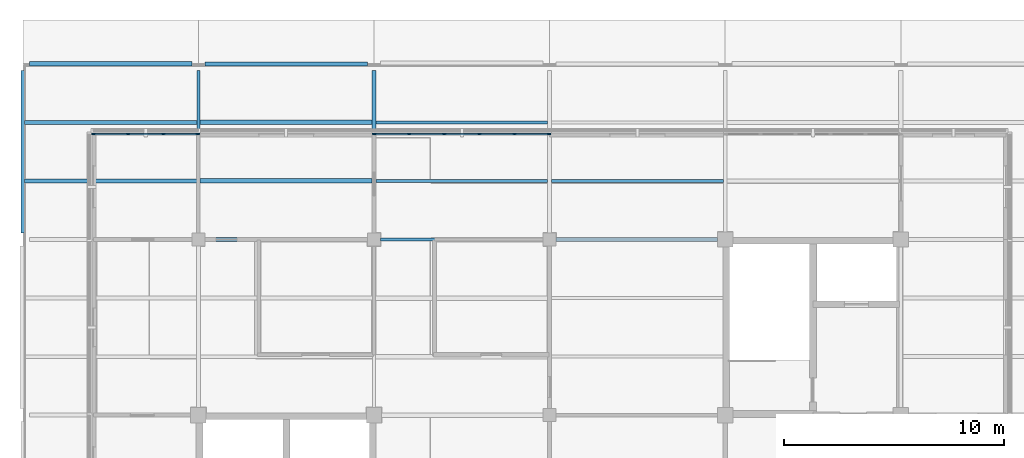
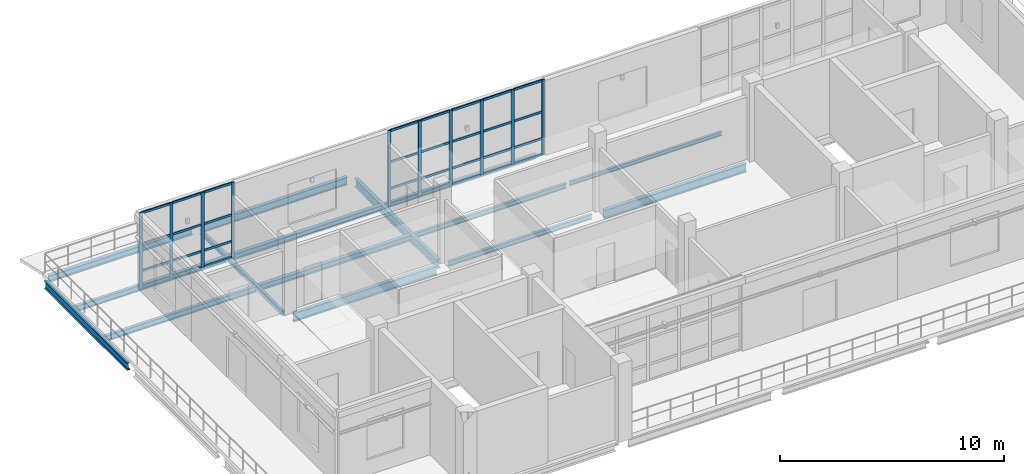
# One storey, part 4 of 24: 42 members, 15 beams, 2 elements without a shape of their own.
"""IFC4 building model written with IfcOpenShell, lengths in metres."""

from ifc_helpers import new_model, si_unit, derived_unit, direction, frame, origin, origin_2d, place, context, subcontext, project, spatial, rectangle, i_section, extrude, material, layer, layer_set, material_profile, profile_set, type_object, element, aggregate, save


model = new_model("IFC4")

# Units and contexts
model_context = context("Model", 3, precision=1e-05, world=origin(), true_north=direction((0.0, 1.0)))
body_context = subcontext(model_context, "Body", "Model", "MODEL_VIEW")
ifc_project = project(units=[si_unit("LENGTHUNIT", "METRE"), si_unit("AREAUNIT", "SQUARE_METRE"), si_unit("VOLUMEUNIT", "CUBIC_METRE"), si_unit("PLANEANGLEUNIT", "RADIAN"), si_unit("MASSUNIT", "GRAM", prefix="KILO"), derived_unit("THERMALTRANSMITTANCEUNIT", [(si_unit("MASSUNIT", "GRAM", prefix="KILO"), 1), (si_unit("TIMEUNIT", "SECOND"), -3), (si_unit("THERMODYNAMICTEMPERATUREUNIT", "KELVIN"), -1)])], contexts=[model_context])

# Site, building, storey
site_placement = place(None, origin())
site = spatial("IfcSite", under=ifc_project, at=site_placement, CompositionType="ELEMENT")
building_placement = place(site_placement, origin())
building = spatial("IfcBuilding", under=site, at=building_placement, Name="Veyamyaing Civic Hall", CompositionType="ELEMENT")
storey_placement = place(building_placement, frame((0.0, 0.0, 25.739990234375)))
storey = spatial("IfcBuildingStorey", under=building, at=storey_placement, Name="L06", CompositionType="ELEMENT", Elevation=25.739990234375)

# Beams
ifc_material_1 = material(Name="Steel ASTM A992", Category="steel")
ifc_material_profile_1 = material_profile(ifc_material_1, i_section(OverallWidth=0.19189453125, OverallDepth=0.462890625, WebThickness=0.010498046875, FlangeThickness=0.017578125, FilletRadius=0.010009765625, at=origin_2d()), Name="W460X89")
ifc_profile_set_1 = profile_set([ifc_material_profile_1], Name="Steel ASTM A992")
beam_type_1 = type_object("IfcBeamType", Name="B-08", PredefinedType="BEAM", material=ifc_profile_set_1)
beam_1_placement = place(storey_placement, frame((24.300048828125, 104.0, -0.45654296875), z_axis=(1.0, 0.0, 0.0), x_axis=(0.0, 1.0, 0.0)))
element("IfcBeam", 1, at=beam_1_placement, inside=storey, type_object=beam_type_1, Name="Girder B-08 L06 Grid P 4-5", PredefinedType="BEAM", context=body_context, shape_type="SweptSolid", body=[
    extrude(i_section(OverallWidth=0.19189453125, OverallDepth=0.462890625, WebThickness=0.010498046875, FlangeThickness=0.017578125, FilletRadius=0.010009765625, at=origin_2d()), origin(), (0.0, 0.0, 1.0), 7.349853515625),
])
beam_2_placement = place(storey_placement, frame((16.0, 104.300048828125, -0.46142578125), z_axis=(0.0, 1.0, 0.0), x_axis=(-1.0, 0.0, 0.0)))
element("IfcBeam", 2, at=beam_2_placement, inside=storey, type_object=beam_type_1, Name="Girder B-08 L06 Grid 3 P-Q", PredefinedType="BEAM", context=body_context, shape_type="SweptSolid", body=[
    extrude(i_section(OverallWidth=0.19189453125, OverallDepth=0.462890625, WebThickness=0.010498046875, FlangeThickness=0.017578125, FilletRadius=0.010009765625, at=origin_2d()), origin(), (0.0, 0.0, 1.0), 7.39990234375),
])
ifc_material_profile_2 = material_profile(ifc_material_1, i_section(OverallWidth=0.179931640625, OverallDepth=0.4130859375, WebThickness=0.009765625, FlangeThickness=0.01611328125, FilletRadius=0.010009765625, at=origin_2d()), Name="W410X74")
ifc_profile_set_2 = profile_set([ifc_material_profile_2], Name="Steel ASTM A992")
beam_type_2 = type_object("IfcBeamType", Name="B-10", PredefinedType="SPANDREL", material=ifc_profile_set_2)
beam_3_placement = place(storey_placement, frame((0.0, 104.300048828125, -0.4365234375), z_axis=(0.0, 1.0, 0.0), x_axis=(-1.0, 0.0, 0.0)))
element("IfcBeam", 3, at=beam_3_placement, inside=storey, type_object=beam_type_2, Name="Girder B-10 L06 Grid 1 P-Q", PredefinedType="SPANDREL", context=body_context, shape_type="SweptSolid", body=[
    extrude(i_section(OverallWidth=0.179931640625, OverallDepth=0.4130859375, WebThickness=0.009765625, FlangeThickness=0.01611328125, FilletRadius=0.010009765625, at=origin_2d()), origin(), (0.0, 0.0, 1.0), 7.39990234375),
])
ifc_material_profile_3 = material_profile(ifc_material_1, i_section(OverallWidth=0.2041015625, OverallDepth=0.35009765625, WebThickness=0.0078125, FlangeThickness=0.01513671875, FilletRadius=0.010009765625, at=origin_2d()), Name="W360X72")
ifc_profile_set_3 = profile_set([ifc_material_profile_3], Name="Steel ASTM A992")
beam_type_3 = type_object("IfcBeamType", Name="B-11", PredefinedType="SPANDREL", material=ifc_profile_set_3)
beam_4_placement = place(storey_placement, frame((0.300048828125, 112.0, -0.405029296875), z_axis=(1.0, 0.0, 0.0), x_axis=(0.0, 1.0, 0.0)))
element("IfcBeam", 4, at=beam_4_placement, inside=storey, type_object=beam_type_3, Name="Girder B-11 L06 Grid Q 1-2", PredefinedType="SPANDREL", context=body_context, shape_type="SweptSolid", body=[
    extrude(i_section(OverallWidth=0.2041015625, OverallDepth=0.35009765625, WebThickness=0.0078125, FlangeThickness=0.01513671875, FilletRadius=0.010009765625, at=origin_2d()), origin(), (0.0, 0.0, 1.0), 7.39990234375),
])
ifc_material_profile_4 = material_profile(ifc_material_1, i_section(OverallWidth=0.14599609375, OverallDepth=0.258056640625, WebThickness=0.006103515625, FlangeThickness=0.009033203125, FilletRadius=0.010009765625, at=origin_2d()), Name="W250X33")
ifc_profile_set_4 = profile_set([ifc_material_profile_4], Name="Steel ASTM A992")
beam_type_4 = type_object("IfcBeamType", Name="B-12", PredefinedType="BEAM", material=ifc_profile_set_4)
for number, where, z_axis, x_axis, name in (
    (5, (16.300048828125, 104.0, -0.35400390625), (1.0, 0.0, 0.0), (0.0, 1.0, 0.0), "Girder B-12 L06 Grid P 3-4"),
    (6, (8.0, 104.300048828125, -0.35888671875), (0.0, 1.0, 0.0), (-1.0, 0.0, 0.0), "Girder B-12 L06 Grid 2 P-Q"),
):
    element("IfcBeam", number, at=place(storey_placement, frame(where, z_axis=z_axis, x_axis=x_axis)), inside=storey, type_object=beam_type_4, Name=name, PredefinedType="BEAM", context=body_context, shape_type="SweptSolid", body=[
        extrude(i_section(OverallWidth=0.14599609375, OverallDepth=0.258056640625, WebThickness=0.006103515625, FlangeThickness=0.009033203125, FilletRadius=0.010009765625, at=origin_2d()), origin(), (0.0, 0.0, 1.0), 7.39990234375),
    ])
ifc_material_profile_5 = material_profile(ifc_material_1, i_section(OverallWidth=0.194091796875, OverallDepth=0.468994140625, WebThickness=0.0126953125, FlangeThickness=0.0205078125, FilletRadius=0.010009765625, at=origin_2d()), Name="W460X106")
ifc_profile_set_5 = profile_set([ifc_material_profile_5], Name="Steel ASTM A992")
beam_type_5 = type_object("IfcBeamType", Name="B-18", PredefinedType="BEAM", material=ifc_profile_set_5)
beam_5_placement = place(storey_placement, frame((8.300048828125, 104.0, -0.45947265625), z_axis=(1.0, 0.0, 0.0), x_axis=(0.0, 1.0, 0.0)))
element("IfcBeam", 7, at=beam_5_placement, inside=storey, type_object=beam_type_5, Name="Girder B-18 L06 Grid P 2-3", PredefinedType="BEAM", context=body_context, shape_type="SweptSolid", body=[
    extrude(i_section(OverallWidth=0.194091796875, OverallDepth=0.468994140625, WebThickness=0.0126953125, FlangeThickness=0.0205078125, FilletRadius=0.010009765625, at=origin_2d()), origin(), (0.0, 0.0, 1.0), 7.39990234375),
])
ifc_material_profile_6 = material_profile(ifc_material_1, i_section(OverallWidth=0.180908203125, OverallDepth=0.4169921875, WebThickness=0.010986328125, FlangeThickness=0.018310546875, FilletRadius=0.010009765625, at=origin_2d()), Name="W410X85")
ifc_profile_set_6 = profile_set([ifc_material_profile_6], Name="Steel ASTM A992")
beam_type_6 = type_object("IfcBeamType", Name="B-19", PredefinedType="SPANDREL", material=ifc_profile_set_6)
beam_6_placement = place(storey_placement, frame((8.300048828125, 112.0, -0.4384765625), z_axis=(1.0, 0.0, 0.0), x_axis=(0.0, 1.0, 0.0)))
element("IfcBeam", 8, at=beam_6_placement, inside=storey, type_object=beam_type_6, Name="Girder B-19 L06 Grid Q 2-3", PredefinedType="SPANDREL", context=body_context, shape_type="SweptSolid", body=[
    extrude(i_section(OverallWidth=0.180908203125, OverallDepth=0.4169921875, WebThickness=0.010986328125, FlangeThickness=0.018310546875, FilletRadius=0.010009765625, at=origin_2d()), origin(), (0.0, 0.0, 1.0), 7.39990234375),
])

# Curtain wall, members
ifc_material_2 = material(Name="Anodised aluminium 6063-T6", Category="aluminium")
ifc_layer = layer(ifc_material_2, 0.159912109375, Name="Anodised aluminium 6063-T6")
ifc_layer_set = layer_set([ifc_layer], Name="Anodised aluminium 6063-T6")
curtain_wall_type = type_object("IfcCurtainWallType", Name="CW-05", PredefinedType="NOTDEFINED", material=ifc_layer_set)
curtain_wall_1_placement = place(storey_placement, origin())
curtain_wall_1 = element("IfcCurtainWall", 9, at=curtain_wall_1_placement, inside=storey, type_object=curtain_wall_type, Name="Executive terrace curtain wall CW-05 L06-NW-N-0", PredefinedType="NOTDEFINED")
ifc_material_profile_7 = material_profile(ifc_material_2, rectangle(XDim=0.06494140625, YDim=0.159912109375, at=origin_2d()), Name="ALU-MUL-65X160")
ifc_profile_set_7 = profile_set([ifc_material_profile_7], Name="Anodised aluminium 6063-T6")
member_type_1 = type_object("IfcMemberType", Name="CWM-01", PredefinedType="MULLION", material=ifc_profile_set_7)
member_1_placement = place(storey_placement, frame((3.232421875, 108.800048828125, 0.0), z_axis=(0.0, 0.0, 1.0), x_axis=(0.0, 1.0, 0.0)))
member_1 = element("IfcMember", 10, at=member_1_placement, type_object=member_type_1, Name="CW-05 mullion 1", PredefinedType="MULLION", context=body_context, shape_type="SweptSolid", body=[
    extrude(rectangle(XDim=0.06494140625, YDim=0.159912109375, at=origin_2d()), origin(), (0.0, 0.0, 1.0), 4.090087890625),
])
member_2_placement = place(storey_placement, frame((4.800048828125, 108.800048828125, 0.0), z_axis=(0.0, 0.0, 1.0), x_axis=(0.0, 1.0, 0.0)))
member_2 = element("IfcMember", 11, at=member_2_placement, type_object=member_type_1, Name="CW-05 mullion 2", PredefinedType="MULLION", context=body_context, shape_type="SweptSolid", body=[
    extrude(rectangle(XDim=0.06494140625, YDim=0.159912109375, at=origin_2d()), origin(), (0.0, 0.0, 1.0), 4.090087890625),
])
member_3_placement = place(storey_placement, frame((6.39990234375, 108.800048828125, 0.0), z_axis=(0.0, 0.0, 1.0), x_axis=(0.0, 1.0, 0.0)))
member_3 = element("IfcMember", 12, at=member_3_placement, type_object=member_type_1, Name="CW-05 mullion 3", PredefinedType="MULLION", context=body_context, shape_type="SweptSolid", body=[
    extrude(rectangle(XDim=0.06494140625, YDim=0.159912109375, at=origin_2d()), origin(), (0.0, 0.0, 1.0), 4.090087890625),
])
member_4_placement = place(storey_placement, frame((7.967529296875, 108.800048828125, 0.0), z_axis=(0.0, 0.0, 1.0), x_axis=(0.0, 1.0, 0.0)))
member_4 = element("IfcMember", 13, at=member_4_placement, type_object=member_type_1, Name="CW-05 mullion 4", PredefinedType="MULLION", context=body_context, shape_type="SweptSolid", body=[
    extrude(rectangle(XDim=0.06494140625, YDim=0.159912109375, at=origin_2d()), origin(), (0.0, 0.0, 1.0), 4.090087890625),
])

curtain_wall_2_placement = place(storey_placement, origin())
curtain_wall_2 = element("IfcCurtainWall", 14, at=curtain_wall_2_placement, inside=storey, type_object=curtain_wall_type, Name="Executive terrace curtain wall CW-05 L06-NW-N-2", PredefinedType="NOTDEFINED")
member_5_placement = place(storey_placement, frame((16.032470703125, 108.800048828125, 0.0), z_axis=(0.0, 0.0, 1.0), x_axis=(0.0, 1.0, 0.0)))
member_5 = element("IfcMember", 15, at=member_5_placement, type_object=member_type_1, Name="CW-05 mullion 1", PredefinedType="MULLION", context=body_context, shape_type="SweptSolid", body=[
    extrude(rectangle(XDim=0.06494140625, YDim=0.159912109375, at=origin_2d()), origin(), (0.0, 0.0, 1.0), 4.090087890625),
])
member_6_placement = place(storey_placement, frame((17.60009765625, 108.800048828125, 0.0), z_axis=(0.0, 0.0, 1.0), x_axis=(0.0, 1.0, 0.0)))
member_6 = element("IfcMember", 16, at=member_6_placement, type_object=member_type_1, Name="CW-05 mullion 2", PredefinedType="MULLION", context=body_context, shape_type="SweptSolid", body=[
    extrude(rectangle(XDim=0.06494140625, YDim=0.159912109375, at=origin_2d()), origin(), (0.0, 0.0, 1.0), 4.090087890625),
])
member_7_placement = place(storey_placement, frame((19.199951171875, 108.800048828125, 0.0), z_axis=(0.0, 0.0, 1.0), x_axis=(0.0, 1.0, 0.0)))
member_7 = element("IfcMember", 17, at=member_7_placement, type_object=member_type_1, Name="CW-05 mullion 3", PredefinedType="MULLION", context=body_context, shape_type="SweptSolid", body=[
    extrude(rectangle(XDim=0.06494140625, YDim=0.159912109375, at=origin_2d()), origin(), (0.0, 0.0, 1.0), 4.090087890625),
])
member_8_placement = place(storey_placement, frame((20.800048828125, 108.800048828125, 0.0), z_axis=(0.0, 0.0, 1.0), x_axis=(0.0, 1.0, 0.0)))
member_8 = element("IfcMember", 18, at=member_8_placement, type_object=member_type_1, Name="CW-05 mullion 4", PredefinedType="MULLION", context=body_context, shape_type="SweptSolid", body=[
    extrude(rectangle(XDim=0.06494140625, YDim=0.159912109375, at=origin_2d()), origin(), (0.0, 0.0, 1.0), 4.090087890625),
])
member_9_placement = place(storey_placement, frame((22.39990234375, 108.800048828125, 0.0), z_axis=(0.0, 0.0, 1.0), x_axis=(0.0, 1.0, 0.0)))
member_9 = element("IfcMember", 19, at=member_9_placement, type_object=member_type_1, Name="CW-05 mullion 5", PredefinedType="MULLION", context=body_context, shape_type="SweptSolid", body=[
    extrude(rectangle(XDim=0.06494140625, YDim=0.159912109375, at=origin_2d()), origin(), (0.0, 0.0, 1.0), 4.090087890625),
])
member_10_placement = place(storey_placement, frame((23.967529296875, 108.800048828125, 0.0), z_axis=(0.0, 0.0, 1.0), x_axis=(0.0, 1.0, 0.0)))
member_10 = element("IfcMember", 20, at=member_10_placement, type_object=member_type_1, Name="CW-05 mullion 6", PredefinedType="MULLION", context=body_context, shape_type="SweptSolid", body=[
    extrude(rectangle(XDim=0.06494140625, YDim=0.159912109375, at=origin_2d()), origin(), (0.0, 0.0, 1.0), 4.090087890625),
])

# Member
ifc_material_profile_8 = material_profile(ifc_material_2, rectangle(XDim=0.06494140625, YDim=0.1201171875, at=origin_2d()), Name="ALU-TRN-65X120")
ifc_profile_set_8 = profile_set([ifc_material_profile_8], Name="Anodised aluminium 6063-T6")
member_type_2 = type_object("IfcMemberType", Name="CWT-01", PredefinedType="USERDEFINED", material=ifc_profile_set_8)
member_11_placement = place(storey_placement, frame((3.264892578125, 108.800048828125, 0.032470703125), z_axis=(1.0, 0.0, 0.0), x_axis=(0.0, 1.0, 0.0)))
member_11 = element("IfcMember", 21, at=member_11_placement, type_object=member_type_2, Name="CW-05 transom 1.1", ObjectType="TRANSOM", PredefinedType="USERDEFINED", context=body_context, shape_type="SweptSolid", body=[
    extrude(rectangle(XDim=0.06494140625, YDim=0.1201171875, at=origin_2d()), origin(), (0.0, 0.0, 1.0), 1.502685546875),
])

member_12_placement = place(storey_placement, frame((3.264892578125, 108.800048828125, 0.89990234375), z_axis=(1.0, 0.0, 0.0), x_axis=(0.0, 1.0, 0.0)))
member_12 = element("IfcMember", 22, at=member_12_placement, type_object=member_type_2, Name="CW-05 transom 1.2", ObjectType="TRANSOM", PredefinedType="USERDEFINED", context=body_context, shape_type="SweptSolid", body=[
    extrude(rectangle(XDim=0.06494140625, YDim=0.1201171875, at=origin_2d()), origin(), (0.0, 0.0, 1.0), 1.502685546875),
])

member_13_placement = place(storey_placement, frame((3.264892578125, 108.800048828125, 2.35009765625), z_axis=(1.0, 0.0, 0.0), x_axis=(0.0, 1.0, 0.0)))
member_13 = element("IfcMember", 23, at=member_13_placement, type_object=member_type_2, Name="CW-05 transom 1.3", ObjectType="TRANSOM", PredefinedType="USERDEFINED", context=body_context, shape_type="SweptSolid", body=[
    extrude(rectangle(XDim=0.06494140625, YDim=0.1201171875, at=origin_2d()), origin(), (0.0, 0.0, 1.0), 1.502685546875),
])

member_14_placement = place(storey_placement, frame((3.264892578125, 108.800048828125, 4.0576171875), z_axis=(1.0, 0.0, 0.0), x_axis=(0.0, 1.0, 0.0)))
member_14 = element("IfcMember", 24, at=member_14_placement, type_object=member_type_2, Name="CW-05 transom 1.4", ObjectType="TRANSOM", PredefinedType="USERDEFINED", context=body_context, shape_type="SweptSolid", body=[
    extrude(rectangle(XDim=0.06494140625, YDim=0.1201171875, at=origin_2d()), origin(), (0.0, 0.0, 1.0), 1.502685546875),
])

member_15_placement = place(storey_placement, frame((4.83251953125, 108.800048828125, 0.032470703125), z_axis=(1.0, 0.0, 0.0), x_axis=(0.0, 1.0, 0.0)))
member_15 = element("IfcMember", 25, at=member_15_placement, type_object=member_type_2, Name="CW-05 transom 2.1", ObjectType="TRANSOM", PredefinedType="USERDEFINED", context=body_context, shape_type="SweptSolid", body=[
    extrude(rectangle(XDim=0.06494140625, YDim=0.1201171875, at=origin_2d()), origin(), (0.0, 0.0, 1.0), 1.534912109375),
])

member_16_placement = place(storey_placement, frame((4.83251953125, 108.800048828125, 0.89990234375), z_axis=(1.0, 0.0, 0.0), x_axis=(0.0, 1.0, 0.0)))
member_16 = element("IfcMember", 26, at=member_16_placement, type_object=member_type_2, Name="CW-05 transom 2.2", ObjectType="TRANSOM", PredefinedType="USERDEFINED", context=body_context, shape_type="SweptSolid", body=[
    extrude(rectangle(XDim=0.06494140625, YDim=0.1201171875, at=origin_2d()), origin(), (0.0, 0.0, 1.0), 1.534912109375),
])

member_17_placement = place(storey_placement, frame((4.83251953125, 108.800048828125, 2.35009765625), z_axis=(1.0, 0.0, 0.0), x_axis=(0.0, 1.0, 0.0)))
member_17 = element("IfcMember", 27, at=member_17_placement, type_object=member_type_2, Name="CW-05 transom 2.3", ObjectType="TRANSOM", PredefinedType="USERDEFINED", context=body_context, shape_type="SweptSolid", body=[
    extrude(rectangle(XDim=0.06494140625, YDim=0.1201171875, at=origin_2d()), origin(), (0.0, 0.0, 1.0), 1.534912109375),
])

member_18_placement = place(storey_placement, frame((4.83251953125, 108.800048828125, 4.0576171875), z_axis=(1.0, 0.0, 0.0), x_axis=(0.0, 1.0, 0.0)))
member_18 = element("IfcMember", 28, at=member_18_placement, type_object=member_type_2, Name="CW-05 transom 2.4", ObjectType="TRANSOM", PredefinedType="USERDEFINED", context=body_context, shape_type="SweptSolid", body=[
    extrude(rectangle(XDim=0.06494140625, YDim=0.1201171875, at=origin_2d()), origin(), (0.0, 0.0, 1.0), 1.534912109375),
])

member_19_placement = place(storey_placement, frame((6.4326171875, 108.800048828125, 0.032470703125), z_axis=(1.0, 0.0, 0.0), x_axis=(0.0, 1.0, 0.0)))
member_19 = element("IfcMember", 29, at=member_19_placement, type_object=member_type_2, Name="CW-05 transom 3.1", ObjectType="TRANSOM", PredefinedType="USERDEFINED", context=body_context, shape_type="SweptSolid", body=[
    extrude(rectangle(XDim=0.06494140625, YDim=0.1201171875, at=origin_2d()), origin(), (0.0, 0.0, 1.0), 1.50244140625),
])

member_20_placement = place(storey_placement, frame((6.4326171875, 108.800048828125, 0.89990234375), z_axis=(1.0, 0.0, 0.0), x_axis=(0.0, 1.0, 0.0)))
member_20 = element("IfcMember", 30, at=member_20_placement, type_object=member_type_2, Name="CW-05 transom 3.2", ObjectType="TRANSOM", PredefinedType="USERDEFINED", context=body_context, shape_type="SweptSolid", body=[
    extrude(rectangle(XDim=0.06494140625, YDim=0.1201171875, at=origin_2d()), origin(), (0.0, 0.0, 1.0), 1.50244140625),
])

member_21_placement = place(storey_placement, frame((6.4326171875, 108.800048828125, 2.35009765625), z_axis=(1.0, 0.0, 0.0), x_axis=(0.0, 1.0, 0.0)))
member_21 = element("IfcMember", 31, at=member_21_placement, type_object=member_type_2, Name="CW-05 transom 3.3", ObjectType="TRANSOM", PredefinedType="USERDEFINED", context=body_context, shape_type="SweptSolid", body=[
    extrude(rectangle(XDim=0.06494140625, YDim=0.1201171875, at=origin_2d()), origin(), (0.0, 0.0, 1.0), 1.50244140625),
])

member_22_placement = place(storey_placement, frame((6.4326171875, 108.800048828125, 4.0576171875), z_axis=(1.0, 0.0, 0.0), x_axis=(0.0, 1.0, 0.0)))
member_22 = element("IfcMember", 32, at=member_22_placement, type_object=member_type_2, Name="CW-05 transom 3.4", ObjectType="TRANSOM", PredefinedType="USERDEFINED", context=body_context, shape_type="SweptSolid", body=[
    extrude(rectangle(XDim=0.06494140625, YDim=0.1201171875, at=origin_2d()), origin(), (0.0, 0.0, 1.0), 1.50244140625),
])

aggregate(curtain_wall_1, [member_1, member_2, member_3, member_4, member_11, member_12, member_13, member_14, member_15, member_16, member_17, member_18, member_19, member_20, member_21, member_22])

member_23_placement = place(storey_placement, frame((16.06494140625, 108.800048828125, 0.032470703125), z_axis=(1.0, 0.0, 0.0), x_axis=(0.0, 1.0, 0.0)))
member_23 = element("IfcMember", 33, at=member_23_placement, type_object=member_type_2, Name="CW-05 transom 1.1", ObjectType="TRANSOM", PredefinedType="USERDEFINED", context=body_context, shape_type="SweptSolid", body=[
    extrude(rectangle(XDim=0.06494140625, YDim=0.1201171875, at=origin_2d()), origin(), (0.0, 0.0, 1.0), 1.50244140625),
])

member_24_placement = place(storey_placement, frame((16.06494140625, 108.800048828125, 0.89990234375), z_axis=(1.0, 0.0, 0.0), x_axis=(0.0, 1.0, 0.0)))
member_24 = element("IfcMember", 34, at=member_24_placement, type_object=member_type_2, Name="CW-05 transom 1.2", ObjectType="TRANSOM", PredefinedType="USERDEFINED", context=body_context, shape_type="SweptSolid", body=[
    extrude(rectangle(XDim=0.06494140625, YDim=0.1201171875, at=origin_2d()), origin(), (0.0, 0.0, 1.0), 1.50244140625),
])

member_25_placement = place(storey_placement, frame((16.06494140625, 108.800048828125, 2.35009765625), z_axis=(1.0, 0.0, 0.0), x_axis=(0.0, 1.0, 0.0)))
member_25 = element("IfcMember", 35, at=member_25_placement, type_object=member_type_2, Name="CW-05 transom 1.3", ObjectType="TRANSOM", PredefinedType="USERDEFINED", context=body_context, shape_type="SweptSolid", body=[
    extrude(rectangle(XDim=0.06494140625, YDim=0.1201171875, at=origin_2d()), origin(), (0.0, 0.0, 1.0), 1.50244140625),
])

member_26_placement = place(storey_placement, frame((16.06494140625, 108.800048828125, 4.0576171875), z_axis=(1.0, 0.0, 0.0), x_axis=(0.0, 1.0, 0.0)))
member_26 = element("IfcMember", 36, at=member_26_placement, type_object=member_type_2, Name="CW-05 transom 1.4", ObjectType="TRANSOM", PredefinedType="USERDEFINED", context=body_context, shape_type="SweptSolid", body=[
    extrude(rectangle(XDim=0.06494140625, YDim=0.1201171875, at=origin_2d()), origin(), (0.0, 0.0, 1.0), 1.50244140625),
])

member_27_placement = place(storey_placement, frame((17.632568359375, 108.800048828125, 0.032470703125), z_axis=(1.0, 0.0, 0.0), x_axis=(0.0, 1.0, 0.0)))
member_27 = element("IfcMember", 37, at=member_27_placement, type_object=member_type_2, Name="CW-05 transom 2.1", ObjectType="TRANSOM", PredefinedType="USERDEFINED", context=body_context, shape_type="SweptSolid", body=[
    extrude(rectangle(XDim=0.06494140625, YDim=0.1201171875, at=origin_2d()), origin(), (0.0, 0.0, 1.0), 1.534912109375),
])

member_28_placement = place(storey_placement, frame((17.632568359375, 108.800048828125, 0.89990234375), z_axis=(1.0, 0.0, 0.0), x_axis=(0.0, 1.0, 0.0)))
member_28 = element("IfcMember", 38, at=member_28_placement, type_object=member_type_2, Name="CW-05 transom 2.2", ObjectType="TRANSOM", PredefinedType="USERDEFINED", context=body_context, shape_type="SweptSolid", body=[
    extrude(rectangle(XDim=0.06494140625, YDim=0.1201171875, at=origin_2d()), origin(), (0.0, 0.0, 1.0), 1.534912109375),
])

member_29_placement = place(storey_placement, frame((17.632568359375, 108.800048828125, 2.35009765625), z_axis=(1.0, 0.0, 0.0), x_axis=(0.0, 1.0, 0.0)))
member_29 = element("IfcMember", 39, at=member_29_placement, type_object=member_type_2, Name="CW-05 transom 2.3", ObjectType="TRANSOM", PredefinedType="USERDEFINED", context=body_context, shape_type="SweptSolid", body=[
    extrude(rectangle(XDim=0.06494140625, YDim=0.1201171875, at=origin_2d()), origin(), (0.0, 0.0, 1.0), 1.534912109375),
])

member_30_placement = place(storey_placement, frame((17.632568359375, 108.800048828125, 4.0576171875), z_axis=(1.0, 0.0, 0.0), x_axis=(0.0, 1.0, 0.0)))
member_30 = element("IfcMember", 40, at=member_30_placement, type_object=member_type_2, Name="CW-05 transom 2.4", ObjectType="TRANSOM", PredefinedType="USERDEFINED", context=body_context, shape_type="SweptSolid", body=[
    extrude(rectangle(XDim=0.06494140625, YDim=0.1201171875, at=origin_2d()), origin(), (0.0, 0.0, 1.0), 1.534912109375),
])

member_31_placement = place(storey_placement, frame((19.232421875, 108.800048828125, 0.032470703125), z_axis=(1.0, 0.0, 0.0), x_axis=(0.0, 1.0, 0.0)))
member_31 = element("IfcMember", 41, at=member_31_placement, type_object=member_type_2, Name="CW-05 transom 3.1", ObjectType="TRANSOM", PredefinedType="USERDEFINED", context=body_context, shape_type="SweptSolid", body=[
    extrude(rectangle(XDim=0.06494140625, YDim=0.1201171875, at=origin_2d()), origin(), (0.0, 0.0, 1.0), 1.53515625),
])

member_32_placement = place(storey_placement, frame((19.232421875, 108.800048828125, 0.89990234375), z_axis=(1.0, 0.0, 0.0), x_axis=(0.0, 1.0, 0.0)))
member_32 = element("IfcMember", 42, at=member_32_placement, type_object=member_type_2, Name="CW-05 transom 3.2", ObjectType="TRANSOM", PredefinedType="USERDEFINED", context=body_context, shape_type="SweptSolid", body=[
    extrude(rectangle(XDim=0.06494140625, YDim=0.1201171875, at=origin_2d()), origin(), (0.0, 0.0, 1.0), 1.53515625),
])

member_33_placement = place(storey_placement, frame((19.232421875, 108.800048828125, 2.35009765625), z_axis=(1.0, 0.0, 0.0), x_axis=(0.0, 1.0, 0.0)))
member_33 = element("IfcMember", 43, at=member_33_placement, type_object=member_type_2, Name="CW-05 transom 3.3", ObjectType="TRANSOM", PredefinedType="USERDEFINED", context=body_context, shape_type="SweptSolid", body=[
    extrude(rectangle(XDim=0.06494140625, YDim=0.1201171875, at=origin_2d()), origin(), (0.0, 0.0, 1.0), 1.53515625),
])

member_34_placement = place(storey_placement, frame((19.232421875, 108.800048828125, 4.0576171875), z_axis=(1.0, 0.0, 0.0), x_axis=(0.0, 1.0, 0.0)))
member_34 = element("IfcMember", 44, at=member_34_placement, type_object=member_type_2, Name="CW-05 transom 3.4", ObjectType="TRANSOM", PredefinedType="USERDEFINED", context=body_context, shape_type="SweptSolid", body=[
    extrude(rectangle(XDim=0.06494140625, YDim=0.1201171875, at=origin_2d()), origin(), (0.0, 0.0, 1.0), 1.53515625),
])

member_35_placement = place(storey_placement, frame((20.83251953125, 108.800048828125, 0.032470703125), z_axis=(1.0, 0.0, 0.0), x_axis=(0.0, 1.0, 0.0)))
member_35 = element("IfcMember", 45, at=member_35_placement, type_object=member_type_2, Name="CW-05 transom 4.1", ObjectType="TRANSOM", PredefinedType="USERDEFINED", context=body_context, shape_type="SweptSolid", body=[
    extrude(rectangle(XDim=0.06494140625, YDim=0.1201171875, at=origin_2d()), origin(), (0.0, 0.0, 1.0), 1.534912109375),
])

member_36_placement = place(storey_placement, frame((20.83251953125, 108.800048828125, 0.89990234375), z_axis=(1.0, 0.0, 0.0), x_axis=(0.0, 1.0, 0.0)))
member_36 = element("IfcMember", 46, at=member_36_placement, type_object=member_type_2, Name="CW-05 transom 4.2", ObjectType="TRANSOM", PredefinedType="USERDEFINED", context=body_context, shape_type="SweptSolid", body=[
    extrude(rectangle(XDim=0.06494140625, YDim=0.1201171875, at=origin_2d()), origin(), (0.0, 0.0, 1.0), 1.534912109375),
])

member_37_placement = place(storey_placement, frame((20.83251953125, 108.800048828125, 2.35009765625), z_axis=(1.0, 0.0, 0.0), x_axis=(0.0, 1.0, 0.0)))
member_37 = element("IfcMember", 47, at=member_37_placement, type_object=member_type_2, Name="CW-05 transom 4.3", ObjectType="TRANSOM", PredefinedType="USERDEFINED", context=body_context, shape_type="SweptSolid", body=[
    extrude(rectangle(XDim=0.06494140625, YDim=0.1201171875, at=origin_2d()), origin(), (0.0, 0.0, 1.0), 1.534912109375),
])

member_38_placement = place(storey_placement, frame((20.83251953125, 108.800048828125, 4.0576171875), z_axis=(1.0, 0.0, 0.0), x_axis=(0.0, 1.0, 0.0)))
member_38 = element("IfcMember", 48, at=member_38_placement, type_object=member_type_2, Name="CW-05 transom 4.4", ObjectType="TRANSOM", PredefinedType="USERDEFINED", context=body_context, shape_type="SweptSolid", body=[
    extrude(rectangle(XDim=0.06494140625, YDim=0.1201171875, at=origin_2d()), origin(), (0.0, 0.0, 1.0), 1.534912109375),
])

member_39_placement = place(storey_placement, frame((22.4326171875, 108.800048828125, 0.032470703125), z_axis=(1.0, 0.0, 0.0), x_axis=(0.0, 1.0, 0.0)))
member_39 = element("IfcMember", 49, at=member_39_placement, type_object=member_type_2, Name="CW-05 transom 5.1", ObjectType="TRANSOM", PredefinedType="USERDEFINED", context=body_context, shape_type="SweptSolid", body=[
    extrude(rectangle(XDim=0.06494140625, YDim=0.1201171875, at=origin_2d()), origin(), (0.0, 0.0, 1.0), 1.50244140625),
])

member_40_placement = place(storey_placement, frame((22.4326171875, 108.800048828125, 0.89990234375), z_axis=(1.0, 0.0, 0.0), x_axis=(0.0, 1.0, 0.0)))
member_40 = element("IfcMember", 50, at=member_40_placement, type_object=member_type_2, Name="CW-05 transom 5.2", ObjectType="TRANSOM", PredefinedType="USERDEFINED", context=body_context, shape_type="SweptSolid", body=[
    extrude(rectangle(XDim=0.06494140625, YDim=0.1201171875, at=origin_2d()), origin(), (0.0, 0.0, 1.0), 1.50244140625),
])

member_41_placement = place(storey_placement, frame((22.4326171875, 108.800048828125, 2.35009765625), z_axis=(1.0, 0.0, 0.0), x_axis=(0.0, 1.0, 0.0)))
member_41 = element("IfcMember", 51, at=member_41_placement, type_object=member_type_2, Name="CW-05 transom 5.3", ObjectType="TRANSOM", PredefinedType="USERDEFINED", context=body_context, shape_type="SweptSolid", body=[
    extrude(rectangle(XDim=0.06494140625, YDim=0.1201171875, at=origin_2d()), origin(), (0.0, 0.0, 1.0), 1.50244140625),
])

member_42_placement = place(storey_placement, frame((22.4326171875, 108.800048828125, 4.0576171875), z_axis=(1.0, 0.0, 0.0), x_axis=(0.0, 1.0, 0.0)))
member_42 = element("IfcMember", 52, at=member_42_placement, type_object=member_type_2, Name="CW-05 transom 5.4", ObjectType="TRANSOM", PredefinedType="USERDEFINED", context=body_context, shape_type="SweptSolid", body=[
    extrude(rectangle(XDim=0.06494140625, YDim=0.1201171875, at=origin_2d()), origin(), (0.0, 0.0, 1.0), 1.50244140625),
])

aggregate(curtain_wall_2, [member_5, member_6, member_7, member_8, member_9, member_10, member_23, member_24, member_25, member_26, member_27, member_28, member_29, member_30, member_31, member_32, member_33, member_34, member_35, member_36, member_37, member_38, member_39, member_40, member_41, member_42])

# Beams
ifc_material_profile_9 = material_profile(ifc_material_1, i_section(OverallWidth=0.1650390625, OverallDepth=0.31005859375, WebThickness=0.005859375, FlangeThickness=0.009765625, FilletRadius=0.010009765625, at=origin_2d()), Name="W310X39")
ifc_profile_set_9 = profile_set([ifc_material_profile_9], Name="Steel ASTM A992")
beam_type_7 = type_object("IfcBeamType", Name="J-05", PredefinedType="JOIST", material=ifc_profile_set_9)
for number, where, z_axis, x_axis, name in (
    (53, (0.087890625, 106.666748046875, -0.385009765625), (1.0, 0.0, 0.0), (0.0, 1.0, 0.0), "Composite floor joist J-05 L06 1.14.1"),
    (54, (0.087890625, 109.333251953125, -0.385009765625), (1.0, 0.0, 0.0), (0.0, 1.0, 0.0), "Composite floor joist J-05 L06 1.14.2"),
):
    element("IfcBeam", number, at=place(storey_placement, frame(where, z_axis=z_axis, x_axis=x_axis)), inside=storey, type_object=beam_type_7, Name=name, PredefinedType="JOIST", context=body_context, shape_type="SweptSolid", body=[
        extrude(i_section(OverallWidth=0.1650390625, OverallDepth=0.31005859375, WebThickness=0.005859375, FlangeThickness=0.009765625, FilletRadius=0.010009765625, at=origin_2d()), origin(), (0.0, 0.0, 1.0), 7.841064453125),
    ])
ifc_material_profile_10 = material_profile(ifc_material_1, i_section(OverallWidth=0.2041015625, OverallDepth=0.305908203125, WebThickness=0.008544921875, FlangeThickness=0.0146484375, FilletRadius=0.010009765625, at=origin_2d()), Name="W310X67")
ifc_profile_set_10 = profile_set([ifc_material_profile_10], Name="Steel ASTM A992")
beam_type_8 = type_object("IfcBeamType", Name="J-06", PredefinedType="JOIST", material=ifc_profile_set_10)
for number, where, z_axis, x_axis, name in (
    (55, (8.071044921875, 106.666748046875, -0.383056640625), (1.0, 0.0, 0.0), (0.0, 1.0, 0.0), "Composite floor joist J-06 L06 2.14.1"),
    (56, (8.071044921875, 109.333251953125, -0.383056640625), (1.0, 0.0, 0.0), (0.0, 1.0, 0.0), "Composite floor joist J-06 L06 2.14.2"),
):
    element("IfcBeam", number, at=place(storey_placement, frame(where, z_axis=z_axis, x_axis=x_axis)), inside=storey, type_object=beam_type_8, Name=name, PredefinedType="JOIST", context=body_context, shape_type="SweptSolid", body=[
        extrude(i_section(OverallWidth=0.2041015625, OverallDepth=0.305908203125, WebThickness=0.008544921875, FlangeThickness=0.0146484375, FilletRadius=0.010009765625, at=origin_2d()), origin(), (0.0, 0.0, 1.0), 7.8349609375),
    ])
ifc_material_profile_11 = material_profile(ifc_material_1, i_section(OverallWidth=0.14794921875, OverallDepth=0.26611328125, WebThickness=0.007568359375, FlangeThickness=0.012939453125, FilletRadius=0.010009765625, at=origin_2d()), Name="W250X45")
ifc_profile_set_11 = profile_set([ifc_material_profile_11], Name="Steel ASTM A992")
beam_type_9 = type_object("IfcBeamType", Name="J-07", PredefinedType="JOIST", material=ifc_profile_set_11)
for number, where, z_axis, x_axis, name in (
    (57, (16.093994140625, 106.666748046875, -0.363037109375), (1.0, 0.0, 0.0), (0.0, 1.0, 0.0), "Composite floor joist J-07 L06 3.14.1"),
    (58, (16.093994140625, 109.333251953125, -0.363037109375), (1.0, 0.0, 0.0), (0.0, 1.0, 0.0), "Composite floor joist J-07 L06 3.14.2"),
):
    element("IfcBeam", number, at=place(storey_placement, frame(where, z_axis=z_axis, x_axis=x_axis)), inside=storey, type_object=beam_type_9, Name=name, PredefinedType="JOIST", context=body_context, shape_type="SweptSolid", body=[
        extrude(i_section(OverallWidth=0.14794921875, OverallDepth=0.26611328125, WebThickness=0.007568359375, FlangeThickness=0.012939453125, FilletRadius=0.010009765625, at=origin_2d()), origin(), (0.0, 0.0, 1.0), 7.81298828125),
    ])
ifc_material_profile_12 = material_profile(ifc_material_1, i_section(OverallWidth=0.133056640625, OverallDepth=0.20703125, WebThickness=0.005859375, FlangeThickness=0.00830078125, FilletRadius=0.010009765625, at=origin_2d()), Name="W200X27")
ifc_profile_set_12 = profile_set([ifc_material_profile_12], Name="Steel ASTM A992")
beam_type_10 = type_object("IfcBeamType", Name="J-08", PredefinedType="JOIST", material=ifc_profile_set_12)
beam_7_placement = place(storey_placement, frame((24.093017578125, 106.666748046875, -0.33349609375), z_axis=(1.0, 0.0, 0.0), x_axis=(0.0, 1.0, 0.0)))
element("IfcBeam", 59, at=beam_7_placement, inside=storey, type_object=beam_type_10, Name="Composite floor joist J-08 L06 4.14.1", PredefinedType="JOIST", context=body_context, shape_type="SweptSolid", body=[
    extrude(i_section(OverallWidth=0.133056640625, OverallDepth=0.20703125, WebThickness=0.005859375, FlangeThickness=0.00830078125, FilletRadius=0.010009765625, at=origin_2d()), origin(), (0.0, 0.0, 1.0), 7.8359375),
])

save(model, "model.ifc")
